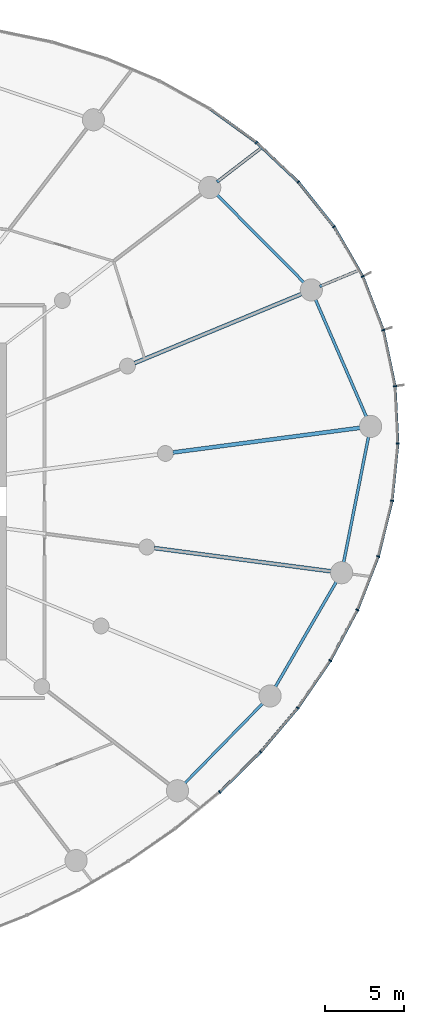
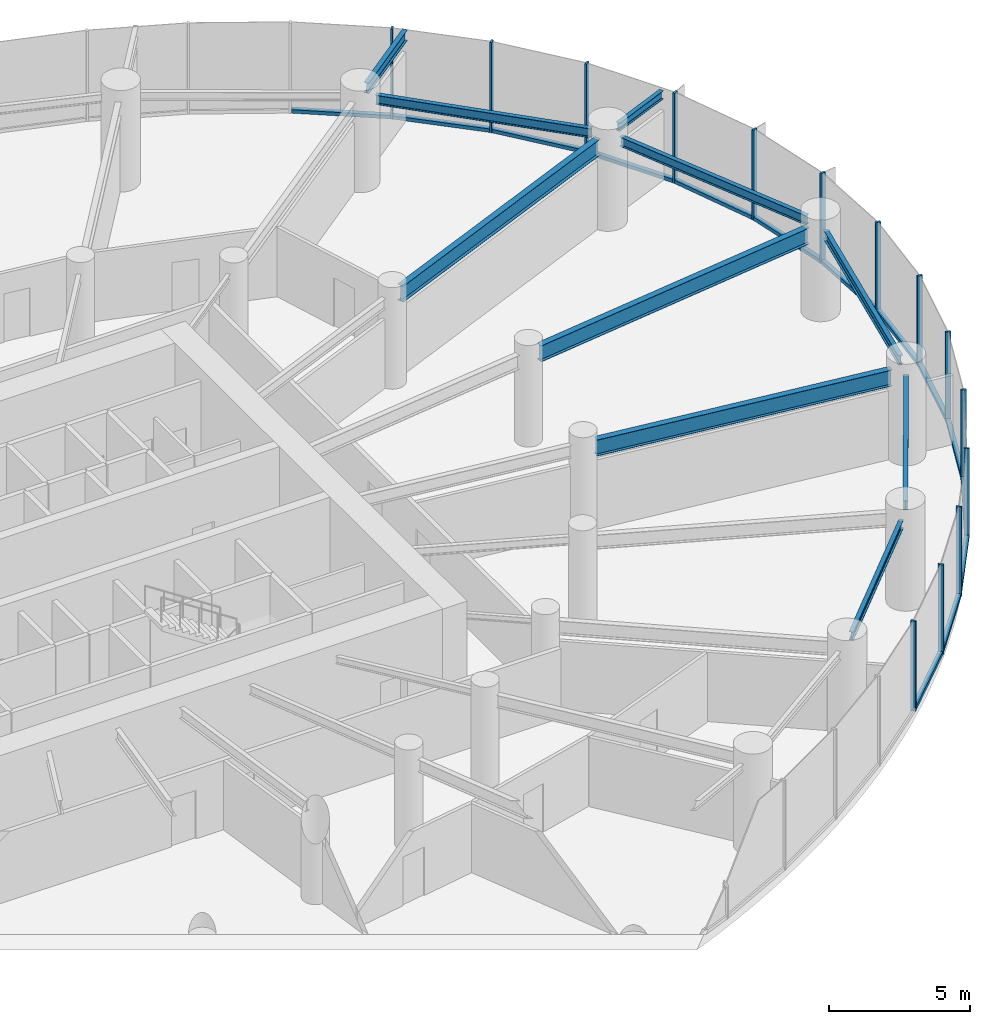
# One storey, part 8 of 18: 28 members, 10 beams, 3 elements without a shape of their own.
"""IFC4 building model written with IfcOpenShell, lengths in metres."""

from ifc_helpers import new_model, si_unit, direction, frame, origin, origin_2d, place, context, subcontext, project, spatial, rectangle, i_section, extrude, source, transform, mapped, material, layer, layer_set, material_profile, profile_set, type_object, element, aggregate, save


model = new_model("IFC4")

# Units and contexts
model_context = context("Model", 3, precision=1e-05, world=origin(), true_north=direction((0.0, 1.0)))
body_context = subcontext(model_context, "Body", "Model", "MODEL_VIEW")
ifc_project = project(units=[si_unit("LENGTHUNIT", "METRE"), si_unit("AREAUNIT", "SQUARE_METRE"), si_unit("VOLUMEUNIT", "CUBIC_METRE"), si_unit("PLANEANGLEUNIT", "RADIAN"), si_unit("MASSUNIT", "GRAM", prefix="KILO")], contexts=[model_context])

# Site, building, storey
site_placement = place(None, origin())
site = spatial("IfcSite", under=ifc_project, at=site_placement, CompositionType="ELEMENT")
building_placement = place(site_placement, origin())
building = spatial("IfcBuilding", under=site, at=building_placement, Name="Spindrift Exchange Tower", CompositionType="ELEMENT")
storey_placement = place(building_placement, frame((0.0, 0.0, 71.0)))
storey = spatial("IfcBuildingStorey", under=building, at=storey_placement, Name="L16", CompositionType="ELEMENT", Elevation=71.0)

# Beams
ifc_material_1 = material(Name="Steel Grade 300", Category="steel")
ifc_material_profile_1 = material_profile(ifc_material_1, i_section(OverallWidth=0.25, OverallDepth=0.699951171875, WebThickness=0.008056640625, FlangeThickness=0.011962890625, at=origin_2d()), Name="700WB115")
ifc_profile_set_1 = profile_set([ifc_material_profile_1], Name="Steel Grade 300")
beam_type_1 = type_object("IfcBeamType", Name="Floor Beam 700WB115 Steel Grade 300", PredefinedType="BEAM", material=ifc_profile_set_1)
shared_shape_1 = source(origin(), body_context, "Body", "SweptSolid", [
    extrude(i_section(OverallWidth=0.25, OverallDepth=0.699951171875, WebThickness=0.008056640625, FlangeThickness=0.011962890625, at=origin_2d()), origin(), (0.0, 0.0, 1.0), 12.00830078125),
])
beam_1_placement = place(storey_placement, frame((75.509765625, 51.09521484375, 3.550048828125), z_axis=(0.991444950947, 0.130525511844, 0.0), x_axis=(-0.130525511844, 0.991444950947, 0.0)))
element("IfcBeam", 1, at=beam_1_placement, inside=storey, type_object=beam_type_1, Name="L16 radial beam R01B", PredefinedType="BEAM", context=body_context, shape_type="MappedRepresentation", body=[
    mapped(shared_shape_1, transform((0.0, 0.0, 0.0), scale=1.0)),
])
shared_shape_2 = source(origin(), body_context, "Body", "SweptSolid", [
    extrude(i_section(OverallWidth=0.25, OverallDepth=0.699951171875, WebThickness=0.008056640625, FlangeThickness=0.011962890625, at=origin_2d()), origin(), (0.0, 0.0, 1.0), 11.505859375),
])
beam_2_placement = place(storey_placement, frame((73.082763671875, 56.73291015625, 3.550048828125), z_axis=(0.923881578419, 0.38267849307, 0.0), x_axis=(-0.38267849307, 0.923881578419, 0.0)))
element("IfcBeam", 2, at=beam_2_placement, inside=storey, type_object=beam_type_1, Name="L16 radial beam R02B", PredefinedType="BEAM", context=body_context, shape_type="MappedRepresentation", body=[
    mapped(shared_shape_2, transform((0.0, 0.0, 0.0), scale=1.0)),
])
shared_shape_3 = source(origin(), body_context, "Body", "SweptSolid", [
    extrude(i_section(OverallWidth=0.25, OverallDepth=0.699951171875, WebThickness=0.008056640625, FlangeThickness=0.011962890625, at=origin_2d()), origin(), (0.0, 0.0, 1.0), 11.34423828125),
])
beam_3_placement = place(storey_placement, frame((74.339111328125, 45.05908203125, 3.550048828125), z_axis=(0.991444770187, -0.130526884848, 0.0), x_axis=(0.130526884848, 0.991444770187, 0.0)))
element("IfcBeam", 3, at=beam_3_placement, inside=storey, type_object=beam_type_1, Name="L16 radial beam R24B", PredefinedType="BEAM", context=body_context, shape_type="MappedRepresentation", body=[
    mapped(shared_shape_3, transform((0.0, 0.0, 0.0), scale=1.0)),
])
ifc_material_profile_2 = material_profile(ifc_material_1, i_section(OverallWidth=0.177978515625, OverallDepth=0.406005859375, WebThickness=0.0078125, FlangeThickness=0.0126953125, FilletRadius=0.013916015625, at=origin_2d()), Name="410UB59.7")
ifc_profile_set_2 = profile_set([ifc_material_profile_2], Name="Steel Grade 300")
beam_type_2 = type_object("IfcBeamType", Name="Edge Beam 410UB59.7 Steel Grade 300", PredefinedType="SPANDREL", material=ifc_profile_set_2)
shared_shape_4 = source(origin(), body_context, "Body", "SweptSolid", [
    extrude(i_section(OverallWidth=0.177978515625, OverallDepth=0.406005859375, WebThickness=0.0078125, FlangeThickness=0.0126953125, FilletRadius=0.013916015625, at=origin_2d()), origin(), (0.0, 0.0, 1.0), 8.23681640625),
])
beam_4_placement = place(storey_placement, frame((87.759521484375, 53.270263671875, 3.697021484375), z_axis=(-0.398186298756, 0.91730456855, 0.0), x_axis=(-0.91730456855, -0.398186298756, 0.0)))
element("IfcBeam", 4, at=beam_4_placement, inside=storey, type_object=beam_type_2, Name="L16 edge beam E01", PredefinedType="SPANDREL", context=body_context, shape_type="MappedRepresentation", body=[
    mapped(shared_shape_4, transform((0.0, 0.0, 0.0), scale=1.0)),
])
shared_shape_5 = source(origin(), body_context, "Body", "SweptSolid", [
    extrude(i_section(OverallWidth=0.177978515625, OverallDepth=0.406005859375, WebThickness=0.0078125, FlangeThickness=0.0126953125, FilletRadius=0.013916015625, at=origin_2d()), origin(), (0.0, 0.0, 1.0), 7.947509765625),
])
beam_5_placement = place(storey_placement, frame((83.840576171875, 61.769775390625, 3.697021484375), z_axis=(-0.704197895271, 0.710003749494, 0.0), x_axis=(-0.710003749494, -0.704197895271, 0.0)))
element("IfcBeam", 5, at=beam_5_placement, inside=storey, type_object=beam_type_2, Name="L16 edge beam E02", PredefinedType="SPANDREL", context=body_context, shape_type="MappedRepresentation", body=[
    mapped(shared_shape_5, transform((0.0, 0.0, 0.0), scale=1.0)),
])
ifc_material_profile_3 = material_profile(ifc_material_1, i_section(OverallWidth=0.172119140625, OverallDepth=0.35888671875, WebThickness=0.008056640625, FlangeThickness=0.012939453125, FilletRadius=0.013916015625, at=origin_2d()), Name="360UB56.7")
ifc_profile_set_3 = profile_set([ifc_material_profile_3], Name="Steel Grade 300")
beam_type_3 = type_object("IfcBeamType", Name="Edge Beam 360UB56.7 Steel Grade 300", PredefinedType="SPANDREL", material=ifc_profile_set_3)
shared_shape_6 = source(origin(), body_context, "Body", "SweptSolid", [
    extrude(i_section(OverallWidth=0.172119140625, OverallDepth=0.35888671875, WebThickness=0.008056640625, FlangeThickness=0.012939453125, FilletRadius=0.013916015625, at=origin_2d()), origin(), (0.0, 0.0, 1.0), 7.2041015625),
])
beam_6_placement = place(storey_placement, frame((76.205810546875, 30.152099609375, 3.720458984375), z_axis=(0.698703626006, 0.715411240481, 0.0), x_axis=(-0.715411240481, 0.698703626006, 0.0)))
element("IfcBeam", 6, at=beam_6_placement, inside=storey, type_object=beam_type_3, Name="L16 edge beam E22", PredefinedType="SPANDREL", context=body_context, shape_type="MappedRepresentation", body=[
    mapped(shared_shape_6, transform((0.0, 0.0, 0.0), scale=1.0)),
])
shared_shape_7 = source(origin(), body_context, "Body", "SweptSolid", [
    extrude(i_section(OverallWidth=0.177978515625, OverallDepth=0.406005859375, WebThickness=0.0078125, FlangeThickness=0.0126953125, FilletRadius=0.013916015625, at=origin_2d()), origin(), (0.0, 0.0, 1.0), 7.837646484375),
])
beam_7_placement = place(storey_placement, frame((81.935791015625, 36.222412109375, 3.697021484375), z_axis=(0.50198145655, 0.864878382942, 0.0), x_axis=(-0.864878382942, 0.50198145655, 0.0)))
element("IfcBeam", 7, at=beam_7_placement, inside=storey, type_object=beam_type_2, Name="L16 edge beam E23", PredefinedType="SPANDREL", context=body_context, shape_type="MappedRepresentation", body=[
    mapped(shared_shape_7, transform((0.0, 0.0, 0.0), scale=1.0)),
])
shared_shape_8 = source(origin(), body_context, "Body", "SweptSolid", [
    extrude(i_section(OverallWidth=0.177978515625, OverallDepth=0.406005859375, WebThickness=0.0078125, FlangeThickness=0.0126953125, FilletRadius=0.013916015625, at=origin_2d()), origin(), (0.0, 0.0, 1.0), 8.2548828125),
])
beam_8_placement = place(storey_placement, frame((86.27392578125, 44.071533203125, 3.697021484375), z_axis=(0.194278723288, 0.9809463684, 0.0), x_axis=(-0.9809463684, 0.194278723288, 0.0)))
element("IfcBeam", 8, at=beam_8_placement, inside=storey, type_object=beam_type_2, Name="L16 edge beam E24", PredefinedType="SPANDREL", context=body_context, shape_type="MappedRepresentation", body=[
    mapped(shared_shape_8, transform((0.0, 0.0, 0.0), scale=1.0)),
])
ifc_material_profile_4 = material_profile(ifc_material_1, i_section(OverallWidth=0.172119140625, OverallDepth=0.35888671875, WebThickness=0.008056640625, FlangeThickness=0.012939453125, FilletRadius=0.013916015625, at=origin_2d()), Name="360UB56.7")
ifc_profile_set_4 = profile_set([ifc_material_profile_4], Name="Steel Grade 300")
beam_type_4 = type_object("IfcBeamType", Name="Cantilever Beam 360UB56.7 Steel Grade 300", PredefinedType="BEAM", material=ifc_profile_set_4)
shared_shape_9 = source(origin(), body_context, "Body", "SweptSolid", [
    extrude(i_section(OverallWidth=0.172119140625, OverallDepth=0.35888671875, WebThickness=0.008056640625, FlangeThickness=0.012939453125, FilletRadius=0.013916015625, at=origin_2d()), origin(), (0.0, 0.0, 1.0), 2.554443359375),
])
beam_9_placement = place(storey_placement, frame((84.78466796875, 61.579833984375, 3.720458984375), z_axis=(0.923886374991, 0.382666912741, 0.0), x_axis=(-0.382666912741, 0.923886374991, 0.0)))
element("IfcBeam", 9, at=beam_9_placement, inside=storey, type_object=beam_type_4, Name="L16 cantilever beam R02T", PredefinedType="BEAM", context=body_context, shape_type="MappedRepresentation", body=[
    mapped(shared_shape_9, transform((0.0, 0.0, 0.0), scale=1.0)),
])
ifc_material_profile_5 = material_profile(ifc_material_1, i_section(OverallWidth=0.18994140625, OverallDepth=0.45703125, WebThickness=0.009033203125, FlangeThickness=0.014404296875, FilletRadius=0.013916015625, at=origin_2d()), Name="460UB74.6")
ifc_profile_set_5 = profile_set([ifc_material_profile_5], Name="Steel Grade 300")
beam_type_5 = type_object("IfcBeamType", Name="Cantilever Beam 460UB74.6 Steel Grade 300", PredefinedType="BEAM", material=ifc_profile_set_5)
shared_shape_10 = source(origin(), body_context, "Body", "SweptSolid", [
    extrude(i_section(OverallWidth=0.18994140625, OverallDepth=0.45703125, WebThickness=0.009033203125, FlangeThickness=0.014404296875, FilletRadius=0.013916015625, at=origin_2d()), origin(), (0.0, 0.0, 1.0), 3.58544921875),
])
beam_10_placement = place(storey_placement, frame((78.295654296875, 68.177490234375, 3.67138671875), z_axis=(0.793382740537, 0.608723111947, 0.0), x_axis=(-0.608723111947, 0.793382740537, 0.0)))
element("IfcBeam", 10, at=beam_10_placement, inside=storey, type_object=beam_type_5, Name="L16 cantilever beam R03T", PredefinedType="BEAM", context=body_context, shape_type="MappedRepresentation", body=[
    mapped(shared_shape_10, transform((0.0, 0.0, 0.0), scale=1.0)),
])

# Curtain wall, member
ifc_material_2 = material(Name="Fritted laminated glass with bronze frame", Category="glass")
ifc_layer = layer(ifc_material_2, 0.199951171875)
ifc_layer_set = layer_set([ifc_layer], Name="ZONE 1 BRONZE FRITTED WALL")
curtain_wall_type = type_object("IfcCurtainWallType", Name="ZONE 1 BRONZE FRITTED WALL", PredefinedType="NOTDEFINED", material=ifc_layer_set)
curtain_wall_1_placement = place(storey_placement, origin())
curtain_wall_1 = element("IfcCurtainWall", 11, at=curtain_wall_1_placement, inside=storey, type_object=curtain_wall_type, Name="L16 Zone 1 Bronze Fritted Wall run 1", PredefinedType="NOTDEFINED")
ifc_material_3 = material(Name="Bronze anodised aluminium", Category="aluminium")
ifc_material_profile_6 = material_profile(ifc_material_3, rectangle(XDim=0.179931640625, YDim=0.14990234375, at=origin_2d()), Name="ZONE 1 BRONZE FRITTED WALL TRANSOM 180X150")
ifc_profile_set_6 = profile_set([ifc_material_profile_6], Name="Bronze anodised aluminium")
member_type_1 = type_object("IfcMemberType", Name="ZONE 1 BRONZE FRITTED WALL TRANSOM 180X150", PredefinedType="USERDEFINED", material=ifc_profile_set_6)
shared_shape_11 = source(origin(), body_context, "Body", "SweptSolid", [
    extrude(rectangle(XDim=0.179931640625, YDim=0.14990234375, at=origin_2d()), origin(), (0.0, 0.0, 1.0), 3.544921875),
])
member_1_placement = place(storey_placement, frame((85.658935546875, 65.380126953125, 0.074951171875), z_axis=(-0.623611015455, 0.781734802477, 0.0), x_axis=(-0.781734802477, -0.623611015455, 0.0)))
member_1 = element("IfcMember", 12, at=member_1_placement, type_object=member_type_1, Name="L16 transom CW-1.3", ObjectType="TRANSOM", PredefinedType="USERDEFINED", context=body_context, shape_type="MappedRepresentation", body=[
    mapped(shared_shape_11, transform((0.0, 0.0, 0.0), scale=1.0)),
])

curtain_wall_2_placement = place(storey_placement, origin())
curtain_wall_2 = element("IfcCurtainWall", 13, at=curtain_wall_2_placement, inside=storey, type_object=curtain_wall_type, Name="L16 Zone 1 Bronze Fritted Wall run 10", PredefinedType="NOTDEFINED")
member_2_placement = place(storey_placement, frame((89.350341796875, 48.08984375, 0.074951171875), z_axis=(0.100962829228, 0.994890198522, 0.0), x_axis=(-0.994890198522, 0.100962829228, 0.0)))
member_2 = element("IfcMember", 14, at=member_2_placement, type_object=member_type_1, Name="L16 transom CW-1.57", ObjectType="TRANSOM", PredefinedType="USERDEFINED", context=body_context, shape_type="MappedRepresentation", body=[
    mapped(shared_shape_11, transform((0.0, 0.0, 0.0), scale=1.0)),
])

# Member
shared_shape_12 = source(origin(), body_context, "Body", "SweptSolid", [
    extrude(rectangle(XDim=0.179931640625, YDim=0.14990234375, at=origin_2d()), origin(), (0.0, 0.0, 1.0), 3.545654296875),
])
member_3_placement = place(storey_placement, frame((80.754150390625, 70.6943359375, 0.074951171875), z_axis=(-0.810145092512, 0.586229416764, 0.0), x_axis=(-0.586229416764, -0.810145092512, 0.0)))
member_3 = element("IfcMember", 15, at=member_3_placement, type_object=member_type_1, Name="L16 transom CW-1.5", ObjectType="TRANSOM", PredefinedType="USERDEFINED", context=body_context, shape_type="MappedRepresentation", body=[
    mapped(shared_shape_12, transform((0.0, 0.0, 0.0), scale=1.0)),
])

member_4_placement = place(storey_placement, frame((87.173583984375, 41.18994140625, 0.074951171875), z_axis=(0.363625558629, 0.931545196495, 0.0), x_axis=(-0.931545196495, 0.363625558629, 0.0)))
member_4 = element("IfcMember", 16, at=member_4_placement, type_object=member_type_1, Name="L16 transom CW-1.55", ObjectType="TRANSOM", PredefinedType="USERDEFINED", context=body_context, shape_type="MappedRepresentation", body=[
    mapped(shared_shape_12, transform((0.0, 0.0, 0.0), scale=1.0)),
])

# Curtain wall, members
curtain_wall_3_placement = place(storey_placement, origin())
curtain_wall_3 = element("IfcCurtainWall", 17, at=curtain_wall_3_placement, inside=storey, type_object=curtain_wall_type, Name="L16 Zone 1 Bronze Fritted Wall run 9", PredefinedType="NOTDEFINED")
shared_shape_13 = source(origin(), body_context, "Body", "SweptSolid", [
    extrude(rectangle(XDim=0.179931640625, YDim=0.14990234375, at=origin_2d()), origin(), (0.0, 0.0, 1.0), 3.546875),
])
member_5_placement = place(storey_placement, frame((78.495361328125, 29.682373046875, 0.074951171875), z_axis=(0.713854205128, 0.700294347986, 0.0), x_axis=(-0.700294347986, 0.713854205128, 0.0)))
member_5 = element("IfcMember", 18, at=member_5_placement, type_object=member_type_1, Name="L16 transom CW-1.51", ObjectType="TRANSOM", PredefinedType="USERDEFINED", context=body_context, shape_type="MappedRepresentation", body=[
    mapped(shared_shape_13, transform((0.0, 0.0, 0.0), scale=1.0)),
])
member_6_placement = place(storey_placement, frame((81.081787109375, 32.224853515625, 0.074951171875), z_axis=(0.645463831574, 0.763790836637, 0.0), x_axis=(-0.763790836637, 0.645463831574, 0.0)))
member_6 = element("IfcMember", 19, at=member_6_placement, type_object=member_type_1, Name="L16 transom CW-1.52", ObjectType="TRANSOM", PredefinedType="USERDEFINED", context=body_context, shape_type="MappedRepresentation", body=[
    mapped(shared_shape_13, transform((0.0, 0.0, 0.0), scale=1.0)),
])
shared_shape_14 = source(origin(), body_context, "Body", "SweptSolid", [
    extrude(rectangle(XDim=0.179931640625, YDim=0.14990234375, at=origin_2d()), origin(), (0.0, 0.0, 1.0), 3.54638671875),
])
member_7_placement = place(storey_placement, frame((85.46630859375, 37.990966796875, 0.074951171875), z_axis=(0.471988325597, 0.881604798365, 0.0), x_axis=(-0.881604798365, 0.471988325597, 0.0)))
member_7 = element("IfcMember", 20, at=member_7_placement, type_object=member_type_1, Name="L16 transom CW-1.54", ObjectType="TRANSOM", PredefinedType="USERDEFINED", context=body_context, shape_type="MappedRepresentation", body=[
    mapped(shared_shape_14, transform((0.0, 0.0, 0.0), scale=1.0)),
])
shared_shape_15 = source(origin(), body_context, "Body", "SweptSolid", [
    extrude(rectangle(XDim=0.179931640625, YDim=0.14990234375, at=origin_2d()), origin(), (0.0, 0.0, 1.0), 3.546630859375),
])
member_8_placement = place(storey_placement, frame((83.419677734375, 34.997314453125, 0.074951171875), z_axis=(0.565377174794, 0.824832498282, 0.0), x_axis=(-0.824832498282, 0.565377174794, 0.0)))
member_8 = element("IfcMember", 21, at=member_8_placement, type_object=member_type_1, Name="L16 transom CW-1.53", ObjectType="TRANSOM", PredefinedType="USERDEFINED", context=body_context, shape_type="MappedRepresentation", body=[
    mapped(shared_shape_15, transform((0.0, 0.0, 0.0), scale=1.0)),
])

# Member
shared_shape_16 = source(origin(), body_context, "Body", "SweptSolid", [
    extrude(rectangle(XDim=0.179931640625, YDim=0.14990234375, at=origin_2d()), origin(), (0.0, 0.0, 1.0), 3.544189453125),
])
member_9_placement = place(storey_placement, frame((88.7763671875, 58.861572265625, 0.074951171875), z_axis=(-0.35778786051, 0.933802895086, 0.0), x_axis=(-0.933802895086, -0.35778786051, 0.0)))
member_9 = element("IfcMember", 22, at=member_9_placement, type_object=member_type_1, Name="L16 transom CW-1.1", ObjectType="TRANSOM", PredefinedType="USERDEFINED", context=body_context, shape_type="MappedRepresentation", body=[
    mapped(shared_shape_16, transform((0.0, 0.0, 0.0), scale=1.0)),
])

member_10_placement = place(storey_placement, frame((89.525390625, 55.31591796875, 0.074951171875), z_axis=(-0.204930681627, 0.978776489158, 0.0), x_axis=(-0.978776489158, -0.204930681627, 0.0)))
member_10 = element("IfcMember", 23, at=member_10_placement, type_object=member_type_1, Name="L16 transom CW-1.59", ObjectType="TRANSOM", PredefinedType="USERDEFINED", context=body_context, shape_type="MappedRepresentation", body=[
    mapped(shared_shape_16, transform((0.0, 0.0, 0.0), scale=1.0)),
])

shared_shape_17 = source(origin(), body_context, "Body", "SweptSolid", [
    extrude(rectangle(XDim=0.179931640625, YDim=0.14990234375, at=origin_2d()), origin(), (0.0, 0.0, 1.0), 3.544677734375),
])
member_11_placement = place(storey_placement, frame((87.47412109375, 62.2431640625, 0.074951171875), z_axis=(-0.49940640946, 0.866367842311, 0.0), x_axis=(-0.866367842311, -0.49940640946, 0.0)))
member_11 = element("IfcMember", 24, at=member_11_placement, type_object=member_type_1, Name="L16 transom CW-1.2", ObjectType="TRANSOM", PredefinedType="USERDEFINED", context=body_context, shape_type="MappedRepresentation", body=[
    mapped(shared_shape_17, transform((0.0, 0.0, 0.0), scale=1.0)),
])

member_12_placement = place(storey_placement, frame((89.710205078125, 51.696533203125, 0.074951171875), z_axis=(-0.049315826206, 0.998783234384, 0.0), x_axis=(-0.998783234384, -0.049315826206, 0.0)))
member_12 = element("IfcMember", 25, at=member_12_placement, type_object=member_type_1, Name="L16 transom CW-1.58", ObjectType="TRANSOM", PredefinedType="USERDEFINED", context=body_context, shape_type="MappedRepresentation", body=[
    mapped(shared_shape_17, transform((0.0, 0.0, 0.0), scale=1.0)),
])

shared_shape_18 = source(origin(), body_context, "Body", "SweptSolid", [
    extrude(rectangle(XDim=0.179931640625, YDim=0.14990234375, at=origin_2d()), origin(), (0.0, 0.0, 1.0), 3.54541015625),
])
member_13_placement = place(storey_placement, frame((83.39404296875, 68.2099609375, 0.074951171875), z_axis=(-0.727228907474, 0.686395014648, 0.0), x_axis=(-0.686395014648, -0.727228907474, 0.0)))
member_13 = element("IfcMember", 26, at=member_13_placement, type_object=member_type_1, Name="L16 transom CW-1.4", ObjectType="TRANSOM", PredefinedType="USERDEFINED", context=body_context, shape_type="MappedRepresentation", body=[
    mapped(shared_shape_18, transform((0.0, 0.0, 0.0), scale=1.0)),
])

member_14_placement = place(storey_placement, frame((88.487060546875, 44.569091796875, 0.074951171875), z_axis=(0.23969920644, 0.970847202412, 0.0), x_axis=(-0.970847202412, 0.23969920644, 0.0)))
member_14 = element("IfcMember", 27, at=member_14_placement, type_object=member_type_1, Name="L16 transom CW-1.56", ObjectType="TRANSOM", PredefinedType="USERDEFINED", context=body_context, shape_type="MappedRepresentation", body=[
    mapped(shared_shape_18, transform((0.0, 0.0, 0.0), scale=1.0)),
])

ifc_material_profile_7 = material_profile(ifc_material_3, rectangle(XDim=0.080078125, YDim=0.199951171875, at=origin_2d()), Name="ZONE 1 BRONZE FRITTED WALL MULLION 80X200")
ifc_profile_set_7 = profile_set([ifc_material_profile_7], Name="Bronze anodised aluminium")
member_type_2 = type_object("IfcMemberType", Name="ZONE 1 BRONZE FRITTED WALL MULLION 80X200", PredefinedType="MULLION", material=ifc_profile_set_7)
shared_shape_19 = source(origin(), body_context, "Body", "SweptSolid", [
    extrude(rectangle(XDim=0.080078125, YDim=0.199951171875, at=origin_2d()), origin(), (0.0, 0.0, 1.0), 3.89990234375),
])
member_15_placement = place(storey_placement, frame((88.790771484375, 58.82421875, 0.0), z_axis=(0.0, 0.0, 1.0), x_axis=(-0.282242592079, 0.959343066487, 0.0)))
member_15 = element("IfcMember", 28, at=member_15_placement, type_object=member_type_2, Name="L16 mullion CW-1.1", PredefinedType="MULLION", context=body_context, shape_type="MappedRepresentation", body=[
    mapped(shared_shape_19, transform((0.0, 0.0, 0.0), scale=1.0)),
])

member_16_placement = place(storey_placement, frame((87.494140625, 62.20849609375, 0.0), z_axis=(0.0, 0.0, 1.0), x_axis=(-0.429931185698, 0.902861659151, 0.0)))
member_16 = element("IfcMember", 29, at=member_16_placement, type_object=member_type_2, Name="L16 mullion CW-1.2", PredefinedType="MULLION", context=body_context, shape_type="MappedRepresentation", body=[
    mapped(shared_shape_19, transform((0.0, 0.0, 0.0), scale=1.0)),
])

member_17_placement = place(storey_placement, frame((85.683837890625, 65.348876953125, 0.0), z_axis=(0.0, 0.0, 1.0), x_axis=(-0.563118143285, 0.826376401347, 0.0)))
member_17 = element("IfcMember", 30, at=member_17_placement, type_object=member_type_2, Name="L16 mullion CW-1.3", PredefinedType="MULLION", context=body_context, shape_type="MappedRepresentation", body=[
    mapped(shared_shape_19, transform((0.0, 0.0, 0.0), scale=1.0)),
])

member_18_placement = place(storey_placement, frame((83.423095703125, 68.1826171875, 0.0), z_axis=(0.0, 0.0, 1.0), x_axis=(-0.677111615432, 0.735880330113, 0.0)))
member_18 = element("IfcMember", 31, at=member_18_placement, type_object=member_type_2, Name="L16 mullion CW-1.4", PredefinedType="MULLION", context=body_context, shape_type="MappedRepresentation", body=[
    mapped(shared_shape_19, transform((0.0, 0.0, 0.0), scale=1.0)),
])

member_19_placement = place(storey_placement, frame((80.78662109375, 70.6708984375, 0.0), z_axis=(0.0, 0.0, 1.0), x_axis=(-0.770334241027, 0.637640303856, 0.0)))
member_19 = element("IfcMember", 32, at=member_19_placement, type_object=member_type_2, Name="L16 mullion CW-1.5", PredefinedType="MULLION", context=body_context, shape_type="MappedRepresentation", body=[
    mapped(shared_shape_19, transform((0.0, 0.0, 0.0), scale=1.0)),
])

aggregate(curtain_wall_1, [member_15, member_9, member_16, member_11, member_17, member_1, member_18, member_13, member_19, member_3])

member_20_placement = place(storey_placement, frame((78.466796875, 29.654296875, 0.0), z_axis=(0.0, 0.0, 1.0), x_axis=(0.743718930361, 0.668492447693, 0.0)))
member_20 = element("IfcMember", 33, at=member_20_placement, type_object=member_type_2, Name="L16 mullion CW-1.51", PredefinedType="MULLION", context=body_context, shape_type="MappedRepresentation", body=[
    mapped(shared_shape_19, transform((0.0, 0.0, 0.0), scale=1.0)),
])

member_21_placement = place(storey_placement, frame((81.055908203125, 32.1943359375, 0.0), z_axis=(0.0, 0.0, 1.0), x_axis=(0.680405055771, 0.7328362437, 0.0)))
member_21 = element("IfcMember", 34, at=member_21_placement, type_object=member_type_2, Name="L16 mullion CW-1.52", PredefinedType="MULLION", context=body_context, shape_type="MappedRepresentation", body=[
    mapped(shared_shape_19, transform((0.0, 0.0, 0.0), scale=1.0)),
])

member_22_placement = place(storey_placement, frame((83.39697265625, 34.96435546875, 0.0), z_axis=(0.0, 0.0, 1.0), x_axis=(0.606211023574, 0.7953038381, 0.0)))
member_22 = element("IfcMember", 35, at=member_22_placement, type_object=member_type_2, Name="L16 mullion CW-1.53", PredefinedType="MULLION", context=body_context, shape_type="MappedRepresentation", body=[
    mapped(shared_shape_19, transform((0.0, 0.0, 0.0), scale=1.0)),
])

member_23_placement = place(storey_placement, frame((85.447509765625, 37.95556640625, 0.0), z_axis=(0.0, 0.0, 1.0), x_axis=(0.519468669643, 0.854489497454, 0.0)))
member_23 = element("IfcMember", 36, at=member_23_placement, type_object=member_type_2, Name="L16 mullion CW-1.54", PredefinedType="MULLION", context=body_context, shape_type="MappedRepresentation", body=[
    mapped(shared_shape_19, transform((0.0, 0.0, 0.0), scale=1.0)),
])

aggregate(curtain_wall_3, [member_20, member_5, member_21, member_6, member_22, member_8, member_23, member_7])

member_24_placement = place(storey_placement, frame((87.158935546875, 41.152587890625, 0.0), z_axis=(0.0, 0.0, 1.0), x_axis=(0.418538351728, 0.908199123614, 0.0)))
member_24 = element("IfcMember", 37, at=member_24_placement, type_object=member_type_2, Name="L16 mullion CW-1.55", PredefinedType="MULLION", context=body_context, shape_type="MappedRepresentation", body=[
    mapped(shared_shape_19, transform((0.0, 0.0, 0.0), scale=1.0)),
])

member_25_placement = place(storey_placement, frame((88.477294921875, 44.5302734375, 0.0), z_axis=(0.0, 0.0, 1.0), x_axis=(0.302293933631, 0.95321475948, 0.0)))
member_25 = element("IfcMember", 38, at=member_25_placement, type_object=member_type_2, Name="L16 mullion CW-1.56", PredefinedType="MULLION", context=body_context, shape_type="MappedRepresentation", body=[
    mapped(shared_shape_19, transform((0.0, 0.0, 0.0), scale=1.0)),
])

member_26_placement = place(storey_placement, frame((89.346435546875, 48.050048828125, 0.0), z_axis=(0.0, 0.0, 1.0), x_axis=(0.170724996927, 0.985318717687, 0.0)))
member_26 = element("IfcMember", 39, at=member_26_placement, type_object=member_type_2, Name="L16 mullion CW-1.57", PredefinedType="MULLION", context=body_context, shape_type="MappedRepresentation", body=[
    mapped(shared_shape_19, transform((0.0, 0.0, 0.0), scale=1.0)),
])

member_27_placement = place(storey_placement, frame((89.712158203125, 51.656494140625, 0.0), z_axis=(0.0, 0.0, 1.0), x_axis=(0.025877316095, 0.999665126186, 0.0)))
member_27 = element("IfcMember", 40, at=member_27_placement, type_object=member_type_2, Name="L16 mullion CW-1.58", PredefinedType="MULLION", context=body_context, shape_type="MappedRepresentation", body=[
    mapped(shared_shape_19, transform((0.0, 0.0, 0.0), scale=1.0)),
])

member_28_placement = place(storey_placement, frame((89.533447265625, 55.276611328125, 0.0), z_axis=(0.0, 0.0, 1.0), x_axis=(-0.127504684109, 0.991837968385, 0.0)))
member_28 = element("IfcMember", 41, at=member_28_placement, type_object=member_type_2, Name="L16 mullion CW-1.59", PredefinedType="MULLION", context=body_context, shape_type="MappedRepresentation", body=[
    mapped(shared_shape_19, transform((0.0, 0.0, 0.0), scale=1.0)),
])

aggregate(curtain_wall_2, [member_24, member_4, member_25, member_14, member_26, member_2, member_27, member_12, member_28, member_10])

save(model, "model.ifc")
